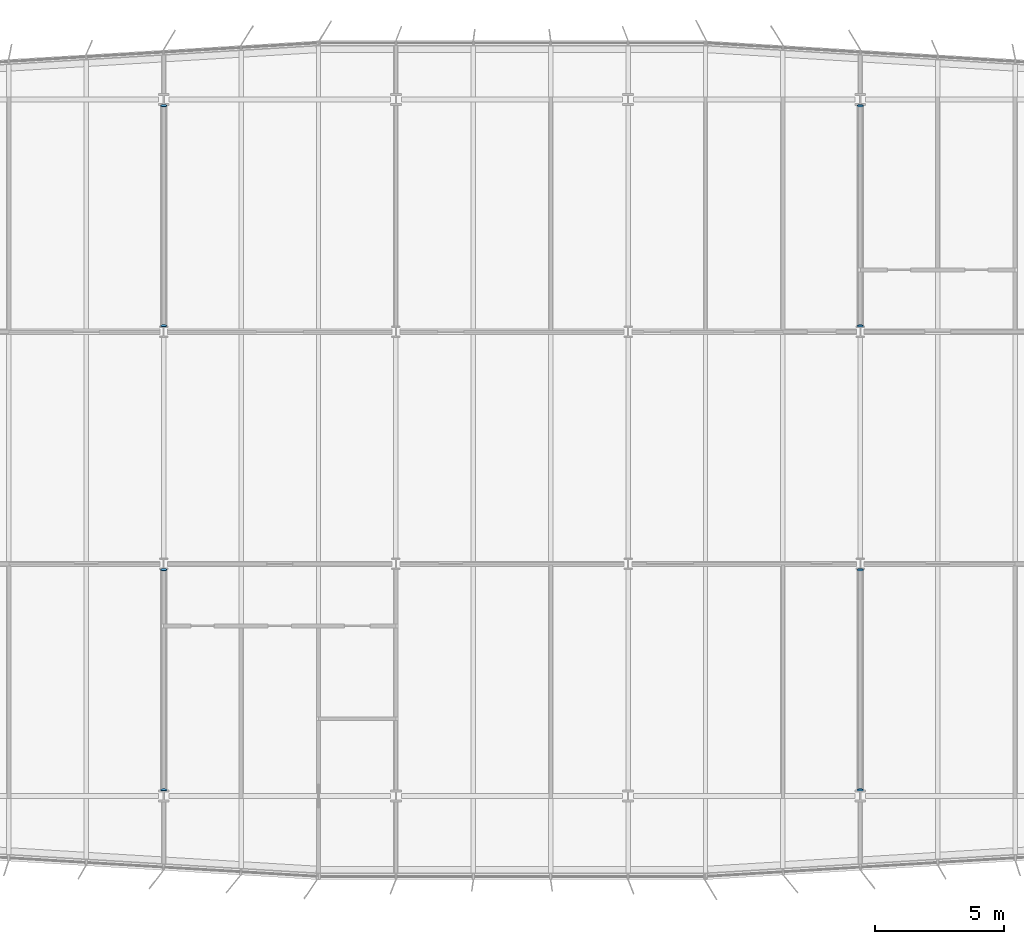
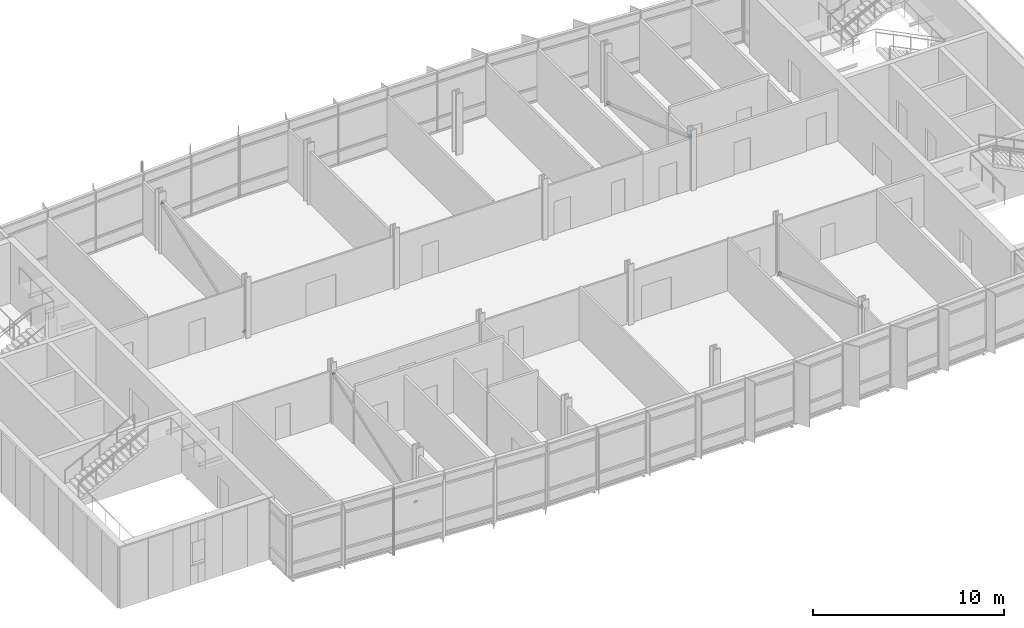
# One storey, part 15 of 18: 8 discrete accessories.
"""IFC4 building model written with IfcOpenShell, lengths in metres."""

from ifc_helpers import new_model, si_unit, direction, frame, origin, origin_2d, place, context, subcontext, project, spatial, circle, extrude, material, material_profile, profile_set, type_object, element, save


model = new_model("IFC4")

# Units and contexts
model_context = context("Model", 3, precision=1e-05, world=origin(), true_north=direction((0.0, 1.0)))
body_context = subcontext(model_context, "Body", "Model", "MODEL_VIEW")
ifc_project = project(units=[si_unit("LENGTHUNIT", "METRE"), si_unit("AREAUNIT", "SQUARE_METRE"), si_unit("VOLUMEUNIT", "CUBIC_METRE"), si_unit("PLANEANGLEUNIT", "RADIAN"), si_unit("MASSUNIT", "GRAM", prefix="KILO")], contexts=[model_context])

# Site, building, storey
site_placement = place(None, origin())
site = spatial("IfcSite", under=ifc_project, at=site_placement, CompositionType="ELEMENT")
building_placement = place(site_placement, origin())
building = spatial("IfcBuilding", under=site, at=building_placement, Name="Azimuth Sports and Learning Centre", CompositionType="ELEMENT")
storey_placement = place(building_placement, frame((0.0, 0.0, 55.800048828125)))
storey = spatial("IfcBuildingStorey", under=building, at=storey_placement, Name="L12", CompositionType="ELEMENT", Elevation=55.800048828125)

# Discrete accessories
ifc_material = material(Name="Steel S355", Category="steel")
ifc_material_profile = material_profile(ifc_material, circle(Radius=0.122314453125, at=origin_2d()), Name="PL 244 DISC")
ifc_profile_set = profile_set([ifc_material_profile], Name="Steel S355")
discrete_accessory_type = type_object("IfcDiscreteAccessoryType", Name="End plate CHS 244.5x12.5", PredefinedType="USERDEFINED", material=ifc_profile_set)
for number, where, z_axis, x_axis, name in (
    (1, (72.0, 90.24853515625, 0.169677734375), (0.0, -0.943667134088, -0.330896267797), (1.0, 0.0, 0.0), "End plate Tower brace 9 L12 lower end"),
    (2, (72.0, 98.762939453125, 3.2001953125), (0.0, 0.939793423488, 0.341743063087), (-1.0, 0.0, 0.0), "End plate Tower brace 9 L12 upper end"),
    (3, (72.0, 108.237060546875, 0.169677734375), (0.0, -0.943667134088, -0.330896267797), (1.0, 0.0, 0.0), "End plate Tower brace 9 L12 lower end"),
    (4, (72.0, 116.75146484375, 3.2001953125), (0.0, 0.939793423488, 0.341743063087), (-1.0, 0.0, 0.0), "End plate Tower brace 9 L12 upper end"),
    (5, (99.0, 98.762939453125, 0.169677734375), (0.0, 0.943667134088, -0.330896267797), (-1.0, 0.0, 0.0), "End plate Tower brace 12 L12 lower end"),
    (6, (99.0, 90.24853515625, 3.2001953125), (0.0, -0.939793423488, 0.341743063087), (1.0, 0.0, 0.0), "End plate Tower brace 12 L12 upper end"),
    (7, (99.0, 116.75146484375, 0.169677734375), (0.0, 0.943667134088, -0.330896267797), (-1.0, 0.0, 0.0), "End plate Tower brace 12 L12 lower end"),
    (8, (99.0, 108.237060546875, 3.2001953125), (0.0, -0.939793423488, 0.341743063087), (1.0, 0.0, 0.0), "End plate Tower brace 12 L12 upper end"),
):
    element("IfcDiscreteAccessory", number, at=place(storey_placement, frame(where, z_axis=z_axis, x_axis=x_axis)), inside=storey, type_object=discrete_accessory_type, Name=name, ObjectType="END PLATE", PredefinedType="USERDEFINED", context=body_context, shape_type="SweptSolid", body=[
        extrude(circle(Radius=0.122314453125, at=origin_2d()), origin(), (0.0, 0.0, 1.0), 0.02001953125),
    ])

save(model, "model.ifc")
